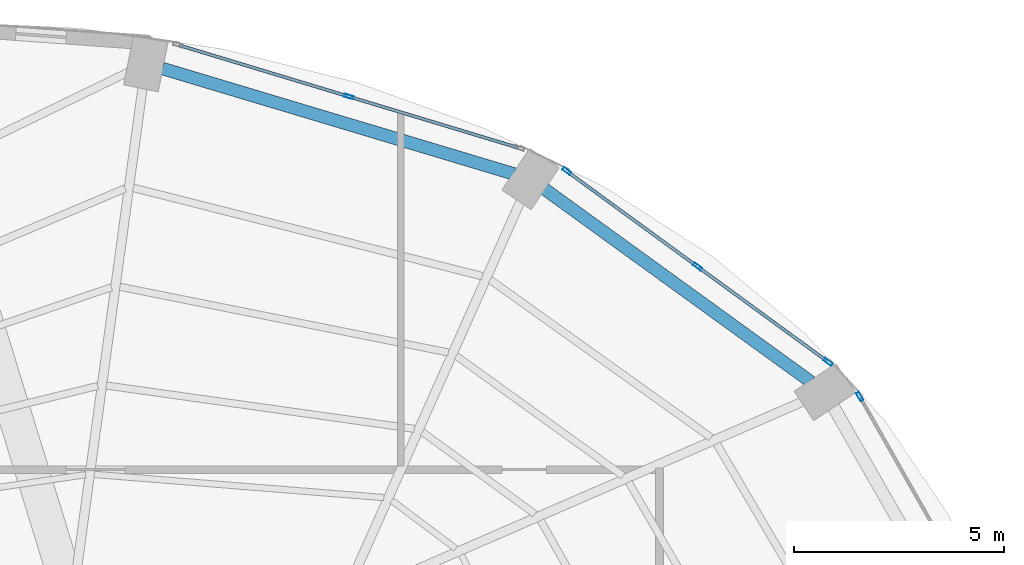
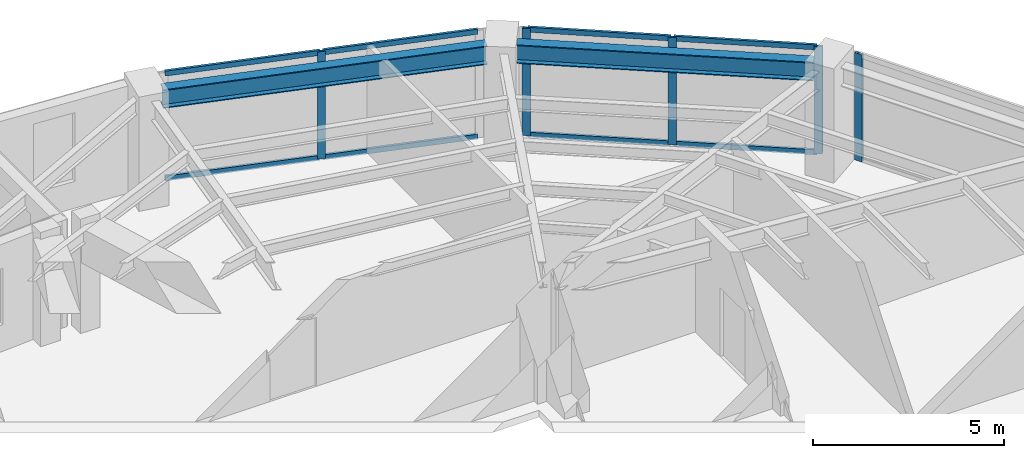
# One storey, part 17 of 23: 13 members, 2 beams, 3 elements without a shape of their own.
"""IFC4 building model written with IfcOpenShell, lengths in metres."""

import ifcopenshell
import ifcopenshell.guid

model = None  # the IFC model being written
_history = None  # IfcOwnerHistory: only IFC2X3 demands one
_inside = {}  # id of a spatial element -> (the spatial element, [elements in it])
_under = {}  # id of a project, library or spatial element -> (it, [spatial elements below it])
_declared = {}  # id of a project -> (the project, [libraries it declares])
_typed = {}  # id of a type object -> (the type object, [elements of that type])
_made_of = {}  # id of a material, layer set ... -> (it, [elements and type objects made of it])


def new_model(schema):
    """Start an empty IFC model of exactly this schema.

    Asked for "IFC4X3", IfcOpenShell would pick the latest addendum, in which some entities
    have other attributes; the version numbers below select the first issue.
    IFC2X3 requires an IfcOwnerHistory on every rooted entity: one is made here for all.
    """
    global model, _history
    if schema == "IFC4X3":
        model = ifcopenshell.file(schema_version=(4, 3, 0, 0))
    else:
        model = ifcopenshell.file(schema=schema)
    _inside.clear()
    _under.clear()
    _declared.clear()
    _typed.clear()
    _made_of.clear()
    _history = None
    if model.schema == "IFC2X3":
        org = make("IfcOrganization", Name="unknown")
        user = make(
            "IfcPersonAndOrganization",
            ThePerson=make("IfcPerson", FamilyName="unknown"),
            TheOrganization=org,
        )
        app = make(
            "IfcApplication",
            ApplicationDeveloper=org,
            Version="unknown",
            ApplicationFullName="unknown",
            ApplicationIdentifier="unknown",
        )
        _history = make(
            "IfcOwnerHistory",
            OwningUser=user,
            OwningApplication=app,
            ChangeAction="ADDED",
            CreationDate=0,
        )
    return model


def make(cls, **values):
    """One entity of the class cls with the attributes given. An attribute that is None is left unset."""
    return model.create_entity(
        cls, **{name: value for name, value in values.items() if value is not None}
    )


def rooted(cls, **values):
    """An entity with a GlobalId (a new one), such as an element, a storey or a relation."""
    return make(cls, GlobalId=ifcopenshell.guid.new(), OwnerHistory=_history, **values)


def si_unit(unit_type, name, prefix=None):
    """IfcSIUnit, for example si_unit("LENGTHUNIT", "METRE", prefix="MILLI")."""
    return make("IfcSIUnit", UnitType=unit_type, Prefix=prefix, Name=name)


def assignment(units):
    """IfcUnitAssignment: the units of a project."""
    return None if units is None else make("IfcUnitAssignment", Units=units)


def point(xyz):
    """IfcCartesianPoint."""
    return None if xyz is None else make("IfcCartesianPoint", Coordinates=xyz)


def direction(xyz):
    """IfcDirection."""
    return None if xyz is None else make("IfcDirection", DirectionRatios=xyz)


def frame(location, z_axis=None, x_axis=None):
    """IfcAxis2Placement3D, a coordinate frame: its origin and axes. An axis left out is left unset."""
    return make(
        "IfcAxis2Placement3D",
        Location=point(location),
        Axis=direction(z_axis),
        RefDirection=direction(x_axis),
    )


def frame_2d(location, x_axis=None):
    """IfcAxis2Placement2D, a coordinate frame in the plane: its origin and x axis."""
    return make(
        "IfcAxis2Placement2D", Location=point(location), RefDirection=direction(x_axis)
    )


def origin():
    """The frame at (0, 0, 0) with its axes left unset."""
    return frame((0.0, 0.0, 0.0))


def origin_2d():
    """The frame at (0, 0) in the plane with its x axis left unset."""
    return frame_2d((0.0, 0.0))


def place(relative_to, where):
    """IfcLocalPlacement: puts the frame where relative to a parent placement (None: the world)."""
    return make(
        "IfcLocalPlacement", PlacementRelTo=relative_to, RelativePlacement=where
    )


def context(
    kind, dimensions, precision=None, world=None, true_north=None, identifier=None
):
    """IfcGeometricRepresentationContext, for example the 3D "Model" context."""
    return make(
        "IfcGeometricRepresentationContext",
        ContextIdentifier=identifier,
        ContextType=kind,
        CoordinateSpaceDimension=dimensions,
        Precision=precision,
        WorldCoordinateSystem=world,
        TrueNorth=true_north,
    )


def subcontext(parent, identifier, kind, view, scale=None):
    """IfcGeometricRepresentationSubContext, for example "Body" below "Model"."""
    return make(
        "IfcGeometricRepresentationSubContext",
        ContextIdentifier=identifier,
        ContextType=kind,
        ParentContext=parent,
        TargetScale=scale,
        TargetView=view,
    )


def project(units=None, contexts=None):
    """IfcProject with its units and contexts."""
    return rooted(
        "IfcProject",
        Name="project",
        RepresentationContexts=contexts,
        UnitsInContext=assignment(units),
    )


def spatial(cls, under=None, at=None, **own):
    """A site, building, storey or space (cls), placed at a placement, below another one or the project."""
    s = rooted(cls, ObjectPlacement=at, **own)
    if under is not None:
        _under.setdefault(under.id(), (under, []))[1].append(s)
    return s


def profile(cls, at=None, kind="AREA", **sizes):
    """A parametric profile (cls). Its sizes go by their IFC names, for example OverallWidth=200.0."""
    return make(cls, ProfileType=kind, Position=at, **sizes)


def hollow_rectangle(**sizes):
    """IfcRectangleHollowProfileDef."""
    return profile("IfcRectangleHollowProfileDef", **sizes)


def i_section(**sizes):
    """IfcIShapeProfileDef."""
    return profile("IfcIShapeProfileDef", **sizes)


def extrude(swept, where, along, depth):
    """IfcExtrudedAreaSolid: the profile swept, set in the frame where, extruded along a direction by depth."""
    return make(
        "IfcExtrudedAreaSolid",
        SweptArea=swept,
        Position=where,
        ExtrudedDirection=direction(along),
        Depth=depth,
    )


def shape(context_of_items, identifier, shape_type, items):
    """IfcShapeRepresentation: the items that make up one representation, for example the "Body"."""
    return make(
        "IfcShapeRepresentation",
        ContextOfItems=context_of_items,
        RepresentationIdentifier=identifier,
        RepresentationType=shape_type,
        Items=items,
    )


def material(Name=None, Category=None):
    """IfcMaterial."""
    return make("IfcMaterial", Name=Name, Category=Category)


def layer(
    of_material, thickness, ventilated=None, Name=None, Category=None, Priority=None
):
    """IfcMaterialLayer: one layer of a wall or slab, of a material (None: an air gap)."""
    return make(
        "IfcMaterialLayer",
        Material=of_material,
        LayerThickness=thickness,
        IsVentilated=ventilated,
        Name=Name,
        Category=Category,
        Priority=Priority,
    )


def layer_set(layers, Name=None):
    """IfcMaterialLayerSet."""
    return make("IfcMaterialLayerSet", MaterialLayers=layers, LayerSetName=Name)


def material_profile(
    of_material, cross_section, Name=None, Category=None, Priority=None
):
    """IfcMaterialProfile: a cross section and its material."""
    return make(
        "IfcMaterialProfile",
        Name=Name,
        Material=of_material,
        Profile=cross_section,
        Priority=Priority,
        Category=Category,
    )


def profile_set(profiles, Name=None, composite=None):
    """IfcMaterialProfileSet."""
    return make(
        "IfcMaterialProfileSet",
        Name=Name,
        MaterialProfiles=profiles,
        CompositeProfile=composite,
    )


def made_of(thing, what):
    """Note that an element or type object is made of a material, layer set ...; save() writes the relation."""
    if what is not None:
        _made_of.setdefault(what.id(), (what, []))[1].append(thing)
    return thing


def type_object(cls, material=None, **own):
    """A type object (cls), such as IfcWallType, which elements share."""
    return made_of(rooted(cls, **own), material)


def element(
    cls,
    number,
    at=None,
    inside=None,
    cuts=None,
    type_object=None,
    material=None,
    context=None,
    identifier="Body",
    shape_type=None,
    held_by="IfcProductDefinitionShape",
    body=None,
    shapes=None,
    **own,
):
    """One element of the class cls, such as IfcWall. Its Tag is "e" and its number.

    at: its placement. inside: the storey or other place that contains it. cuts: it is an
    opening in that element (IfcRelVoidsElement). A single representation is given by context,
    identifier, shape_type and body (its items); several are given by shapes. held_by: the class
    of the entity that holds the representations. save() writes the other relations.
    """
    e = rooted(cls, Tag="e%d" % number, ObjectPlacement=at, **own)
    if body is not None:
        shapes = [shape(context, identifier, shape_type, body)]
    if shapes is not None:
        e.Representation = make(held_by, Representations=shapes)
    if inside is not None:
        _inside.setdefault(inside.id(), (inside, []))[1].append(e)
    if cuts is not None:
        rooted(
            "IfcRelVoidsElement", RelatingBuildingElement=cuts, RelatedOpeningElement=e
        )
    if type_object is not None:
        _typed.setdefault(type_object.id(), (type_object, []))[1].append(e)
    return made_of(e, material)


def aggregate(whole, parts):
    """IfcRelAggregates: a whole, such as a stair, and the parts it consists of."""
    return rooted("IfcRelAggregates", RelatingObject=whole, RelatedObjects=parts)


def save(model, path):
    """Write the relations noted so far, then the file.

    IfcRelAggregates (storeys below a building ...), IfcRelContainedInSpatialStructure (elements
    in a storey), IfcRelDefinesByType, IfcRelAssociatesMaterial and IfcRelDeclares: one each for
    every whole, place, type object, material and project.
    """
    for whole, parts in _under.values():
        aggregate(whole, parts)
    for where, things in _inside.values():
        rooted(
            "IfcRelContainedInSpatialStructure",
            RelatedElements=things,
            RelatingStructure=where,
        )
    for kind, things in _typed.values():
        rooted("IfcRelDefinesByType", RelatedObjects=things, RelatingType=kind)
    for what, things in _made_of.values():
        rooted("IfcRelAssociatesMaterial", RelatedObjects=things, RelatingMaterial=what)
    for by, libraries in _declared.values():
        rooted("IfcRelDeclares", RelatingContext=by, RelatedDefinitions=libraries)
    model.write(path)


model = new_model("IFC4")

# Units and contexts
model_context = context("Model", 3, precision=1e-05, world=origin(), true_north=direction((0.0, 1.0)))
body_context = subcontext(model_context, "Body", "Model", "MODEL_VIEW")
ifc_project = project(units=[si_unit("LENGTHUNIT", "METRE"), si_unit("AREAUNIT", "SQUARE_METRE"), si_unit("VOLUMEUNIT", "CUBIC_METRE"), si_unit("PLANEANGLEUNIT", "RADIAN"), si_unit("MASSUNIT", "GRAM", prefix="KILO")], contexts=[model_context])

# Site, building, storey
site_placement = place(None, origin())
site = spatial("IfcSite", under=ifc_project, at=site_placement, CompositionType="ELEMENT")
building_placement = place(site_placement, origin())
building = spatial("IfcBuilding", under=site, at=building_placement, Name="Lazwardi Medical Tower", CompositionType="ELEMENT")
storey_placement = place(building_placement, frame((0.0, 0.0, 125.52001953125)))
storey = spatial("IfcBuildingStorey", under=building, at=storey_placement, Name="L32", CompositionType="ELEMENT", Elevation=125.52001953125)

# Beams
ifc_material_1 = material(Name="Steel S355", Category="steel")
ifc_material_profile_1 = material_profile(ifc_material_1, i_section(OverallWidth=0.300048828125, OverallDepth=0.60009765625, WebThickness=0.015380859375, FlangeThickness=0.030029296875, at=origin_2d()), Name="HEB 600")
ifc_profile_set_1 = profile_set([ifc_material_profile_1], Name="Steel S355")
beam_type = type_object("IfcBeamType", Name="BM-RB-Z2", PredefinedType="BEAM", material=ifc_profile_set_1)
beam_1_placement = place(storey_placement, frame((56.74560546875, 40.835205078125, 3.1279296875), z_axis=(-0.81005674773, 0.586351486275, 0.0), x_axis=(-0.586351486275, -0.81005674773, 0.0)))
element("IfcBeam", 1, at=beam_1_placement, inside=storey, type_object=beam_type, Name="Ring beam RB-03 B06 L32", PredefinedType="BEAM", context=body_context, shape_type="SweptSolid", body=[
    extrude(i_section(OverallWidth=0.300048828125, OverallDepth=0.60009765625, WebThickness=0.015380859375, FlangeThickness=0.030029296875, at=origin_2d()), origin(), (0.0, 0.0, 1.0), 7.81396484375),
])
beam_2_placement = place(storey_placement, frame((49.69091796875, 45.775390625, 3.1279296875), z_axis=(-0.957879438442, 0.287170648587, 0.0), x_axis=(-0.287170648587, -0.957879438442, 0.0)))
element("IfcBeam", 2, at=beam_2_placement, inside=storey, type_object=beam_type, Name="Ring beam RB-03 B07 L32", PredefinedType="BEAM", context=body_context, shape_type="SweptSolid", body=[
    extrude(i_section(OverallWidth=0.300048828125, OverallDepth=0.60009765625, WebThickness=0.015380859375, FlangeThickness=0.030029296875, at=origin_2d()), origin(), (0.0, 0.0, 1.0), 8.719970703125),
])

# Curtain wall, member
ifc_material_2 = material(Name="Anodised bronze aluminium and solar control glazing", Category="aluminium")
ifc_layer = layer(ifc_material_2, 0.195068359375)
ifc_layer_set = layer_set([ifc_layer], Name="Anodised bronze aluminium and solar control glazing")
curtain_wall_type = type_object("IfcCurtainWallType", Name="CW-SYS-03", PredefinedType="NOTDEFINED", material=ifc_layer_set)
curtain_wall_1_placement = place(storey_placement, origin())
curtain_wall_1 = element("IfcCurtainWall", 3, at=curtain_wall_1_placement, inside=storey, type_object=curtain_wall_type, Name="L32 Unitised bronze curtain wall CW-03", PredefinedType="NOTDEFINED")
ifc_material_3 = material(Name="Anodised bronze aluminium", Category="aluminium")
ifc_material_profile_2 = material_profile(ifc_material_3, hollow_rectangle(XDim=0.074951171875, YDim=0.219970703125, WallThickness=0.00390625, at=origin_2d()), Name="ALU-MULLION 220x75x4")
ifc_profile_set_2 = profile_set([ifc_material_profile_2], Name="Anodised bronze aluminium")
member_type_1 = type_object("IfcMemberType", Name="CW-MUL-01", PredefinedType="MULLION", material=ifc_profile_set_2)
member_1_placement = place(storey_placement, frame((57.9072265625, 40.48583984375, 0.0), z_axis=(0.0, 0.0, 1.0), x_axis=(-0.869687265712, -0.493603140041, 0.0)))
member_1 = element("IfcMember", 4, at=member_1_placement, type_object=member_type_1, Name="CW-03 mullion 2", PredefinedType="MULLION", context=body_context, shape_type="SweptSolid", body=[
    extrude(hollow_rectangle(XDim=0.074951171875, YDim=0.219970703125, WallThickness=0.00390625, at=origin_2d()), origin(), (0.0, 0.0, 1.0), 3.427978515625),
])
aggregate(curtain_wall_1, [member_1])

# Curtain wall, members
curtain_wall_2_placement = place(storey_placement, origin())
curtain_wall_2 = element("IfcCurtainWall", 5, at=curtain_wall_2_placement, inside=storey, type_object=curtain_wall_type, Name="L32 Unitised bronze curtain wall CW-03", PredefinedType="NOTDEFINED")
member_2_placement = place(storey_placement, frame((57.155029296875, 41.308837890625, 0.0), z_axis=(0.0, 0.0, 1.0), x_axis=(-0.589530882802, -0.807745837639, 0.0)))
member_2 = element("IfcMember", 6, at=member_2_placement, type_object=member_type_1, Name="CW-03 mullion 1", PredefinedType="MULLION", context=body_context, shape_type="SweptSolid", body=[
    extrude(hollow_rectangle(XDim=0.074951171875, YDim=0.219970703125, WallThickness=0.00390625, at=origin_2d()), origin(), (0.0, 0.0, 1.0), 3.427978515625),
])
member_3_placement = place(storey_placement, frame((54.051025390625, 43.57421875, 0.0), z_axis=(0.0, 0.0, 1.0), x_axis=(-0.589530882802, -0.807745837639, 0.0)))
member_3 = element("IfcMember", 7, at=member_3_placement, type_object=member_type_1, Name="CW-03 mullion 2", PredefinedType="MULLION", context=body_context, shape_type="SweptSolid", body=[
    extrude(hollow_rectangle(XDim=0.074951171875, YDim=0.219970703125, WallThickness=0.00390625, at=origin_2d()), origin(), (0.0, 0.0, 1.0), 3.427978515625),
])
member_4_placement = place(storey_placement, frame((50.947265625, 45.839599609375, 0.0), z_axis=(0.0, 0.0, 1.0), x_axis=(-0.589530882802, -0.807745837639, 0.0)))
member_4 = element("IfcMember", 8, at=member_4_placement, type_object=member_type_1, Name="CW-03 mullion 3", PredefinedType="MULLION", context=body_context, shape_type="SweptSolid", body=[
    extrude(hollow_rectangle(XDim=0.074951171875, YDim=0.219970703125, WallThickness=0.00390625, at=origin_2d()), origin(), (0.0, 0.0, 1.0), 3.427978515625),
])

# Curtain wall, member
curtain_wall_3_placement = place(storey_placement, origin())
curtain_wall_3 = element("IfcCurtainWall", 9, at=curtain_wall_3_placement, inside=storey, type_object=curtain_wall_type, Name="L32 Unitised bronze curtain wall CW-03", PredefinedType="NOTDEFINED")
member_5_placement = place(storey_placement, frame((45.769287109375, 47.613037109375, 0.0), z_axis=(0.0, 0.0, 1.0), x_axis=(-0.28937381157, -0.957216170558, 0.0)))
member_5 = element("IfcMember", 10, at=member_5_placement, type_object=member_type_1, Name="CW-03 mullion 2", PredefinedType="MULLION", context=body_context, shape_type="SweptSolid", body=[
    extrude(hollow_rectangle(XDim=0.074951171875, YDim=0.219970703125, WallThickness=0.00390625, at=origin_2d()), origin(), (0.0, 0.0, 1.0), 3.427978515625),
])

# Member
ifc_material_profile_3 = material_profile(ifc_material_3, hollow_rectangle(XDim=0.074951171875, YDim=0.159912109375, WallThickness=0.00390625, at=origin_2d()), Name="ALU-TRANSOM 160x75x4")
ifc_profile_set_3 = profile_set([ifc_material_profile_3], Name="Anodised bronze aluminium")
member_type_2 = type_object("IfcMemberType", Name="CW-TRN-01", PredefinedType="USERDEFINED", material=ifc_profile_set_3)
member_6_placement = place(storey_placement, frame((57.12451171875, 41.3310546875, 0.03759765625), z_axis=(-0.807731734271, 0.589550206049, 0.0), x_axis=(-0.589550206049, -0.807731734271, 0.0)))
member_6 = element("IfcMember", 11, at=member_6_placement, type_object=member_type_2, Name="CW-03 transom 1.1", ObjectType="TRANSOM", PredefinedType="USERDEFINED", context=body_context, shape_type="SweptSolid", body=[
    extrude(hollow_rectangle(XDim=0.074951171875, YDim=0.159912109375, WallThickness=0.00390625, at=origin_2d()), origin(), (0.0, 0.0, 1.0), 3.767578125),
])

member_7_placement = place(storey_placement, frame((57.12451171875, 41.3310546875, 3.390380859375), z_axis=(-0.807731734271, 0.589550206049, 0.0), x_axis=(-0.589550206049, -0.807731734271, 0.0)))
member_7 = element("IfcMember", 12, at=member_7_placement, type_object=member_type_2, Name="CW-03 transom 1.2", ObjectType="TRANSOM", PredefinedType="USERDEFINED", context=body_context, shape_type="SweptSolid", body=[
    extrude(hollow_rectangle(XDim=0.074951171875, YDim=0.159912109375, WallThickness=0.00390625, at=origin_2d()), origin(), (0.0, 0.0, 1.0), 3.767578125),
])

member_8_placement = place(storey_placement, frame((54.020751953125, 43.596435546875, 0.03759765625), z_axis=(-0.80776259199, 0.58950792614, 0.0), x_axis=(-0.58950792614, -0.80776259199, 0.0)))
member_8 = element("IfcMember", 13, at=member_8_placement, type_object=member_type_2, Name="CW-03 transom 2.1", ObjectType="TRANSOM", PredefinedType="USERDEFINED", context=body_context, shape_type="SweptSolid", body=[
    extrude(hollow_rectangle(XDim=0.074951171875, YDim=0.159912109375, WallThickness=0.00390625, at=origin_2d()), origin(), (0.0, 0.0, 1.0), 3.767578125),
])

member_9_placement = place(storey_placement, frame((54.020751953125, 43.596435546875, 3.390380859375), z_axis=(-0.80776259199, 0.58950792614, 0.0), x_axis=(-0.58950792614, -0.80776259199, 0.0)))
member_9 = element("IfcMember", 14, at=member_9_placement, type_object=member_type_2, Name="CW-03 transom 2.2", ObjectType="TRANSOM", PredefinedType="USERDEFINED", context=body_context, shape_type="SweptSolid", body=[
    extrude(hollow_rectangle(XDim=0.074951171875, YDim=0.159912109375, WallThickness=0.00390625, at=origin_2d()), origin(), (0.0, 0.0, 1.0), 3.767578125),
])

aggregate(curtain_wall_2, [member_2, member_3, member_4, member_6, member_7, member_8, member_9])

member_10_placement = place(storey_placement, frame((49.79248046875, 46.396728515625, 0.03759765625), z_axis=(-0.957204630929, 0.289411980623, 0.0), x_axis=(-0.289411980623, -0.957204630929, 0.0)))
member_10 = element("IfcMember", 15, at=member_10_placement, type_object=member_type_2, Name="CW-03 transom 1.1", ObjectType="TRANSOM", PredefinedType="USERDEFINED", context=body_context, shape_type="SweptSolid", body=[
    extrude(hollow_rectangle(XDim=0.074951171875, YDim=0.159912109375, WallThickness=0.00390625, at=origin_2d()), origin(), (0.0, 0.0, 1.0), 4.16552734375),
])

member_11_placement = place(storey_placement, frame((49.79248046875, 46.396728515625, 3.390380859375), z_axis=(-0.957204630929, 0.289411980623, 0.0), x_axis=(-0.289411980623, -0.957204630929, 0.0)))
member_11 = element("IfcMember", 16, at=member_11_placement, type_object=member_type_2, Name="CW-03 transom 1.2", ObjectType="TRANSOM", PredefinedType="USERDEFINED", context=body_context, shape_type="SweptSolid", body=[
    extrude(hollow_rectangle(XDim=0.074951171875, YDim=0.159912109375, WallThickness=0.00390625, at=origin_2d()), origin(), (0.0, 0.0, 1.0), 4.16552734375),
])

member_12_placement = place(storey_placement, frame((45.7333984375, 47.6240234375, 0.03759765625), z_axis=(-0.957220865985, 0.289358279168, 0.0), x_axis=(-0.289358279168, -0.957220865985, 0.0)))
member_12 = element("IfcMember", 17, at=member_12_placement, type_object=member_type_2, Name="CW-03 transom 2.1", ObjectType="TRANSOM", PredefinedType="USERDEFINED", context=body_context, shape_type="SweptSolid", body=[
    extrude(hollow_rectangle(XDim=0.074951171875, YDim=0.159912109375, WallThickness=0.00390625, at=origin_2d()), origin(), (0.0, 0.0, 1.0), 4.16552734375),
])

member_13_placement = place(storey_placement, frame((45.7333984375, 47.6240234375, 3.390380859375), z_axis=(-0.957220865985, 0.289358279168, 0.0), x_axis=(-0.289358279168, -0.957220865985, 0.0)))
member_13 = element("IfcMember", 18, at=member_13_placement, type_object=member_type_2, Name="CW-03 transom 2.2", ObjectType="TRANSOM", PredefinedType="USERDEFINED", context=body_context, shape_type="SweptSolid", body=[
    extrude(hollow_rectangle(XDim=0.074951171875, YDim=0.159912109375, WallThickness=0.00390625, at=origin_2d()), origin(), (0.0, 0.0, 1.0), 4.16552734375),
])

aggregate(curtain_wall_3, [member_5, member_10, member_11, member_12, member_13])

save(model, "model.ifc")
